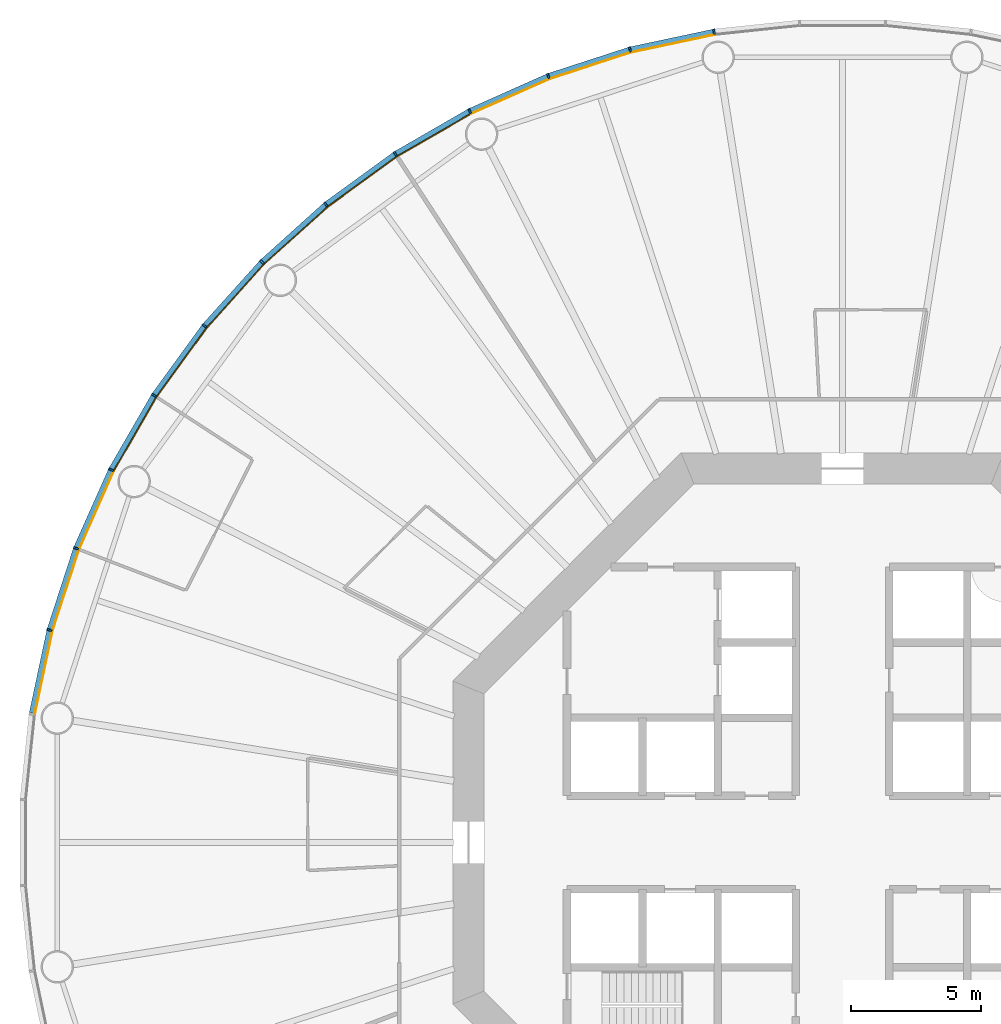
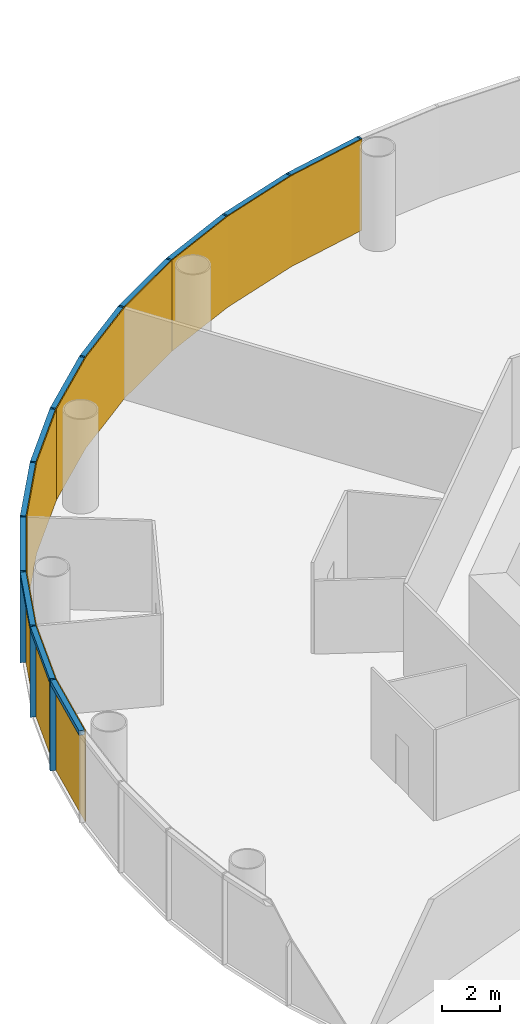
# One storey, part 10 of 13: 24 members, 4 curtain walls.
"""IFC4 building model written with IfcOpenShell, lengths in metres."""

import ifcopenshell
import ifcopenshell.guid

model = None  # the IFC model being written
_history = None  # IfcOwnerHistory: only IFC2X3 demands one
_inside = {}  # id of a spatial element -> (the spatial element, [elements in it])
_under = {}  # id of a project, library or spatial element -> (it, [spatial elements below it])
_declared = {}  # id of a project -> (the project, [libraries it declares])
_typed = {}  # id of a type object -> (the type object, [elements of that type])
_made_of = {}  # id of a material, layer set ... -> (it, [elements and type objects made of it])


def new_model(schema):
    """Start an empty IFC model of exactly this schema.

    Asked for "IFC4X3", IfcOpenShell would pick the latest addendum, in which some entities
    have other attributes; the version numbers below select the first issue.
    IFC2X3 requires an IfcOwnerHistory on every rooted entity: one is made here for all.
    """
    global model, _history
    if schema == "IFC4X3":
        model = ifcopenshell.file(schema_version=(4, 3, 0, 0))
    else:
        model = ifcopenshell.file(schema=schema)
    _inside.clear()
    _under.clear()
    _declared.clear()
    _typed.clear()
    _made_of.clear()
    _history = None
    if model.schema == "IFC2X3":
        org = make("IfcOrganization", Name="unknown")
        user = make(
            "IfcPersonAndOrganization",
            ThePerson=make("IfcPerson", FamilyName="unknown"),
            TheOrganization=org,
        )
        app = make(
            "IfcApplication",
            ApplicationDeveloper=org,
            Version="unknown",
            ApplicationFullName="unknown",
            ApplicationIdentifier="unknown",
        )
        _history = make(
            "IfcOwnerHistory",
            OwningUser=user,
            OwningApplication=app,
            ChangeAction="ADDED",
            CreationDate=0,
        )
    return model


def make(cls, **values):
    """One entity of the class cls with the attributes given. An attribute that is None is left unset."""
    return model.create_entity(
        cls, **{name: value for name, value in values.items() if value is not None}
    )


def rooted(cls, **values):
    """An entity with a GlobalId (a new one), such as an element, a storey or a relation."""
    return make(cls, GlobalId=ifcopenshell.guid.new(), OwnerHistory=_history, **values)


def si_unit(unit_type, name, prefix=None):
    """IfcSIUnit, for example si_unit("LENGTHUNIT", "METRE", prefix="MILLI")."""
    return make("IfcSIUnit", UnitType=unit_type, Prefix=prefix, Name=name)


def assignment(units):
    """IfcUnitAssignment: the units of a project."""
    return None if units is None else make("IfcUnitAssignment", Units=units)


def point(xyz):
    """IfcCartesianPoint."""
    return None if xyz is None else make("IfcCartesianPoint", Coordinates=xyz)


def direction(xyz):
    """IfcDirection."""
    return None if xyz is None else make("IfcDirection", DirectionRatios=xyz)


def frame(location, z_axis=None, x_axis=None):
    """IfcAxis2Placement3D, a coordinate frame: its origin and axes. An axis left out is left unset."""
    return make(
        "IfcAxis2Placement3D",
        Location=point(location),
        Axis=direction(z_axis),
        RefDirection=direction(x_axis),
    )


def frame_2d(location, x_axis=None):
    """IfcAxis2Placement2D, a coordinate frame in the plane: its origin and x axis."""
    return make(
        "IfcAxis2Placement2D", Location=point(location), RefDirection=direction(x_axis)
    )


def origin():
    """The frame at (0, 0, 0) with its axes left unset."""
    return frame((0.0, 0.0, 0.0))


def origin_2d():
    """The frame at (0, 0) in the plane with its x axis left unset."""
    return frame_2d((0.0, 0.0))


def place(relative_to, where):
    """IfcLocalPlacement: puts the frame where relative to a parent placement (None: the world)."""
    return make(
        "IfcLocalPlacement", PlacementRelTo=relative_to, RelativePlacement=where
    )


def context(
    kind, dimensions, precision=None, world=None, true_north=None, identifier=None
):
    """IfcGeometricRepresentationContext, for example the 3D "Model" context."""
    return make(
        "IfcGeometricRepresentationContext",
        ContextIdentifier=identifier,
        ContextType=kind,
        CoordinateSpaceDimension=dimensions,
        Precision=precision,
        WorldCoordinateSystem=world,
        TrueNorth=true_north,
    )


def subcontext(parent, identifier, kind, view, scale=None):
    """IfcGeometricRepresentationSubContext, for example "Body" below "Model"."""
    return make(
        "IfcGeometricRepresentationSubContext",
        ContextIdentifier=identifier,
        ContextType=kind,
        ParentContext=parent,
        TargetScale=scale,
        TargetView=view,
    )


def project(units=None, contexts=None):
    """IfcProject with its units and contexts."""
    return rooted(
        "IfcProject",
        Name="project",
        RepresentationContexts=contexts,
        UnitsInContext=assignment(units),
    )


def spatial(cls, under=None, at=None, **own):
    """A site, building, storey or space (cls), placed at a placement, below another one or the project."""
    s = rooted(cls, ObjectPlacement=at, **own)
    if under is not None:
        _under.setdefault(under.id(), (under, []))[1].append(s)
    return s


def polyline(points):
    """IfcPolyline through the points."""
    return make("IfcPolyline", Points=[point(p) for p in points])


def profile(cls, at=None, kind="AREA", **sizes):
    """A parametric profile (cls). Its sizes go by their IFC names, for example OverallWidth=200.0."""
    return make(cls, ProfileType=kind, Position=at, **sizes)


def rectangle(**sizes):
    """IfcRectangleProfileDef."""
    return profile("IfcRectangleProfileDef", **sizes)


def outline(outer, holes=None, kind="AREA"):
    """IfcArbitraryClosedProfileDef: a profile drawn as a closed curve; with holes, ...WithVoids."""
    if holes is None:
        return make("IfcArbitraryClosedProfileDef", ProfileType=kind, OuterCurve=outer)
    return make(
        "IfcArbitraryProfileDefWithVoids",
        ProfileType=kind,
        OuterCurve=outer,
        InnerCurves=holes,
    )


def extrude(swept, where, along, depth):
    """IfcExtrudedAreaSolid: the profile swept, set in the frame where, extruded along a direction by depth."""
    return make(
        "IfcExtrudedAreaSolid",
        SweptArea=swept,
        Position=where,
        ExtrudedDirection=direction(along),
        Depth=depth,
    )


def shape(context_of_items, identifier, shape_type, items):
    """IfcShapeRepresentation: the items that make up one representation, for example the "Body"."""
    return make(
        "IfcShapeRepresentation",
        ContextOfItems=context_of_items,
        RepresentationIdentifier=identifier,
        RepresentationType=shape_type,
        Items=items,
    )


def material(Name=None, Category=None):
    """IfcMaterial."""
    return make("IfcMaterial", Name=Name, Category=Category)


def layer(
    of_material, thickness, ventilated=None, Name=None, Category=None, Priority=None
):
    """IfcMaterialLayer: one layer of a wall or slab, of a material (None: an air gap)."""
    return make(
        "IfcMaterialLayer",
        Material=of_material,
        LayerThickness=thickness,
        IsVentilated=ventilated,
        Name=Name,
        Category=Category,
        Priority=Priority,
    )


def layer_set(layers, Name=None):
    """IfcMaterialLayerSet."""
    return make("IfcMaterialLayerSet", MaterialLayers=layers, LayerSetName=Name)


def material_profile(
    of_material, cross_section, Name=None, Category=None, Priority=None
):
    """IfcMaterialProfile: a cross section and its material."""
    return make(
        "IfcMaterialProfile",
        Name=Name,
        Material=of_material,
        Profile=cross_section,
        Priority=Priority,
        Category=Category,
    )


def profile_set(profiles, Name=None, composite=None):
    """IfcMaterialProfileSet."""
    return make(
        "IfcMaterialProfileSet",
        Name=Name,
        MaterialProfiles=profiles,
        CompositeProfile=composite,
    )


def made_of(thing, what):
    """Note that an element or type object is made of a material, layer set ...; save() writes the relation."""
    if what is not None:
        _made_of.setdefault(what.id(), (what, []))[1].append(thing)
    return thing


def type_object(cls, material=None, **own):
    """A type object (cls), such as IfcWallType, which elements share."""
    return made_of(rooted(cls, **own), material)


def element(
    cls,
    number,
    at=None,
    inside=None,
    cuts=None,
    type_object=None,
    material=None,
    context=None,
    identifier="Body",
    shape_type=None,
    held_by="IfcProductDefinitionShape",
    body=None,
    shapes=None,
    **own,
):
    """One element of the class cls, such as IfcWall. Its Tag is "e" and its number.

    at: its placement. inside: the storey or other place that contains it. cuts: it is an
    opening in that element (IfcRelVoidsElement). A single representation is given by context,
    identifier, shape_type and body (its items); several are given by shapes. held_by: the class
    of the entity that holds the representations. save() writes the other relations.
    """
    e = rooted(cls, Tag="e%d" % number, ObjectPlacement=at, **own)
    if body is not None:
        shapes = [shape(context, identifier, shape_type, body)]
    if shapes is not None:
        e.Representation = make(held_by, Representations=shapes)
    if inside is not None:
        _inside.setdefault(inside.id(), (inside, []))[1].append(e)
    if cuts is not None:
        rooted(
            "IfcRelVoidsElement", RelatingBuildingElement=cuts, RelatedOpeningElement=e
        )
    if type_object is not None:
        _typed.setdefault(type_object.id(), (type_object, []))[1].append(e)
    return made_of(e, material)


def aggregate(whole, parts):
    """IfcRelAggregates: a whole, such as a stair, and the parts it consists of."""
    return rooted("IfcRelAggregates", RelatingObject=whole, RelatedObjects=parts)


def save(model, path):
    """Write the relations noted so far, then the file.

    IfcRelAggregates (storeys below a building ...), IfcRelContainedInSpatialStructure (elements
    in a storey), IfcRelDefinesByType, IfcRelAssociatesMaterial and IfcRelDeclares: one each for
    every whole, place, type object, material and project.
    """
    for whole, parts in _under.values():
        aggregate(whole, parts)
    for where, things in _inside.values():
        rooted(
            "IfcRelContainedInSpatialStructure",
            RelatedElements=things,
            RelatingStructure=where,
        )
    for kind, things in _typed.values():
        rooted("IfcRelDefinesByType", RelatedObjects=things, RelatingType=kind)
    for what, things in _made_of.values():
        rooted("IfcRelAssociatesMaterial", RelatedObjects=things, RelatingMaterial=what)
    for by, libraries in _declared.values():
        rooted("IfcRelDeclares", RelatingContext=by, RelatedDefinitions=libraries)
    model.write(path)


model = new_model("IFC4")

# Units and contexts
model_context = context("Model", 3, precision=1e-05, world=origin(), true_north=direction((0.0, 1.0)))
body_context = subcontext(model_context, "Body", "Model", "MODEL_VIEW")
ifc_project = project(units=[si_unit("LENGTHUNIT", "METRE"), si_unit("AREAUNIT", "SQUARE_METRE"), si_unit("VOLUMEUNIT", "CUBIC_METRE"), si_unit("PLANEANGLEUNIT", "RADIAN"), si_unit("MASSUNIT", "GRAM", prefix="KILO")], contexts=[model_context])

# Member
ifc_material_1 = material(Name="Anodised aluminium", Category="aluminium")
ifc_material_profile_1 = material_profile(ifc_material_1, rectangle(XDim=0.070068359375, YDim=0.199951171875, at=origin_2d()), Name="Mullion 70 x 200 mm anodised aluminium")
ifc_profile_set_1 = profile_set([ifc_material_profile_1], Name="Anodised aluminium")
member_type_1 = type_object("IfcMemberType", Name="Mullion 70 x 200 mm anodised aluminium", PredefinedType="MULLION", material=ifc_profile_set_1)
site_placement = place(None, origin())
building_placement = place(site_placement, origin())
storey_placement = place(building_placement, frame((0.0, 0.0, 108.0)))
member_1_placement = place(storey_placement, frame((85.056640625, 111.2109375, 0.0), z_axis=(0.0, 0.0, 1.0), x_axis=(-0.987688340595, -0.15643446504, 0.0)))
member_1 = element("IfcMember", 1, at=member_1_placement, type_object=member_type_1, Name="MULLION L24-15", PredefinedType="MULLION", context=body_context, shape_type="SweptSolid", body=[
    extrude(rectangle(XDim=0.070068359375, YDim=0.199951171875, at=origin_2d()), origin(), (0.0, 0.0, 1.0), 3.85009765625),
])

member_2_placement = place(storey_placement, frame((81.8212890625, 110.523193359375, 0.0), z_axis=(0.0, 0.0, 1.0), x_axis=(-0.965925826289, -0.258819045103, 0.0)))
member_2 = element("IfcMember", 2, at=member_2_placement, type_object=member_type_1, Name="MULLION L24-16", PredefinedType="MULLION", context=body_context, shape_type="SweptSolid", body=[
    extrude(rectangle(XDim=0.070068359375, YDim=0.199951171875, at=origin_2d()), origin(), (0.0, 0.0, 1.0), 3.85009765625),
])

member_3_placement = place(storey_placement, frame((78.675537109375, 109.501220703125, 0.0), z_axis=(0.0, 0.0, 1.0), x_axis=(-0.933580426497, -0.358367949545, 0.0)))
member_3 = element("IfcMember", 3, at=member_3_placement, type_object=member_type_1, Name="MULLION L24-17", PredefinedType="MULLION", context=body_context, shape_type="SweptSolid", body=[
    extrude(rectangle(XDim=0.070068359375, YDim=0.199951171875, at=origin_2d()), origin(), (0.0, 0.0, 1.0), 3.85009765625),
])

member_4_placement = place(storey_placement, frame((75.65380859375, 108.15576171875, 0.0), z_axis=(0.0, 0.0, 1.0), x_axis=(-0.891006524188, -0.45399049974, 0.0)))
member_4 = element("IfcMember", 4, at=member_4_placement, type_object=member_type_1, Name="MULLION L24-18", PredefinedType="MULLION", context=body_context, shape_type="SweptSolid", body=[
    extrude(rectangle(XDim=0.070068359375, YDim=0.199951171875, at=origin_2d()), origin(), (0.0, 0.0, 1.0), 3.85009765625),
])

member_5_placement = place(storey_placement, frame((72.789306640625, 106.501953125, 0.0), z_axis=(0.0, 0.0, 1.0), x_axis=(-0.838670567945, -0.544639035015, 0.0)))
member_5 = element("IfcMember", 5, at=member_5_placement, type_object=member_type_1, Name="MULLION L24-19", PredefinedType="MULLION", context=body_context, shape_type="SweptSolid", body=[
    extrude(rectangle(XDim=0.070068359375, YDim=0.199951171875, at=origin_2d()), origin(), (0.0, 0.0, 1.0), 3.85009765625),
])

member_6_placement = place(storey_placement, frame((70.113525390625, 104.557861328125, 0.0), z_axis=(0.0, 0.0, 1.0), x_axis=(-0.777145961457, -0.62932039105, 0.0)))
member_6 = element("IfcMember", 6, at=member_6_placement, type_object=member_type_1, Name="MULLION L24-20", PredefinedType="MULLION", context=body_context, shape_type="SweptSolid", body=[
    extrude(rectangle(XDim=0.070068359375, YDim=0.199951171875, at=origin_2d()), origin(), (0.0, 0.0, 1.0), 3.85009765625),
])

member_7_placement = place(storey_placement, frame((67.655517578125, 102.344482421875, 0.0), z_axis=(0.0, 0.0, 1.0), x_axis=(-0.707106781187, -0.707106781187, 0.0)))
member_7 = element("IfcMember", 7, at=member_7_placement, type_object=member_type_1, Name="MULLION L24-21", PredefinedType="MULLION", context=body_context, shape_type="SweptSolid", body=[
    extrude(rectangle(XDim=0.070068359375, YDim=0.199951171875, at=origin_2d()), origin(), (0.0, 0.0, 1.0), 3.85009765625),
])

member_8_placement = place(storey_placement, frame((65.442138671875, 99.886474609375, 0.0), z_axis=(0.0, 0.0, 1.0), x_axis=(-0.62932039105, -0.777145961457, 0.0)))
member_8 = element("IfcMember", 8, at=member_8_placement, type_object=member_type_1, Name="MULLION L24-22", PredefinedType="MULLION", context=body_context, shape_type="SweptSolid", body=[
    extrude(rectangle(XDim=0.070068359375, YDim=0.199951171875, at=origin_2d()), origin(), (0.0, 0.0, 1.0), 3.85009765625),
])

member_9_placement = place(storey_placement, frame((63.498046875, 97.210693359375, 0.0), z_axis=(0.0, 0.0, 1.0), x_axis=(-0.544639035015, -0.838670567945, 0.0)))
member_9 = element("IfcMember", 9, at=member_9_placement, type_object=member_type_1, Name="MULLION L24-23", PredefinedType="MULLION", context=body_context, shape_type="SweptSolid", body=[
    extrude(rectangle(XDim=0.070068359375, YDim=0.199951171875, at=origin_2d()), origin(), (0.0, 0.0, 1.0), 3.85009765625),
])

member_10_placement = place(storey_placement, frame((61.84423828125, 94.34619140625, 0.0), z_axis=(0.0, 0.0, 1.0), x_axis=(-0.45399049974, -0.891006524188, 0.0)))
member_10 = element("IfcMember", 10, at=member_10_placement, type_object=member_type_1, Name="MULLION L24-24", PredefinedType="MULLION", context=body_context, shape_type="SweptSolid", body=[
    extrude(rectangle(XDim=0.070068359375, YDim=0.199951171875, at=origin_2d()), origin(), (0.0, 0.0, 1.0), 3.85009765625),
])

member_11_placement = place(storey_placement, frame((60.498779296875, 91.324462890625, 0.0), z_axis=(0.0, 0.0, 1.0), x_axis=(-0.358367949545, -0.933580426497, 0.0)))
member_11 = element("IfcMember", 11, at=member_11_placement, type_object=member_type_1, Name="MULLION L24-25", PredefinedType="MULLION", context=body_context, shape_type="SweptSolid", body=[
    extrude(rectangle(XDim=0.070068359375, YDim=0.199951171875, at=origin_2d()), origin(), (0.0, 0.0, 1.0), 3.85009765625),
])

member_12_placement = place(storey_placement, frame((59.476806640625, 88.1787109375, 0.0), z_axis=(0.0, 0.0, 1.0), x_axis=(-0.258819045103, -0.965925826289, 0.0)))
member_12 = element("IfcMember", 12, at=member_12_placement, type_object=member_type_1, Name="MULLION L24-26", PredefinedType="MULLION", context=body_context, shape_type="SweptSolid", body=[
    extrude(rectangle(XDim=0.070068359375, YDim=0.199951171875, at=origin_2d()), origin(), (0.0, 0.0, 1.0), 3.85009765625),
])

ifc_material_2 = material(Name="Anodised aluminium", Category="aluminium")
ifc_material_profile_2 = material_profile(ifc_material_2, rectangle(XDim=0.199951171875, YDim=0.18994140625, at=origin_2d()), Name="Transom 190 x 200 mm anodised aluminium")
ifc_profile_set_2 = profile_set([ifc_material_profile_2], Name="Anodised aluminium")
member_type_2 = type_object("IfcMemberType", Name="Transom 190 x 200 mm anodised aluminium", PredefinedType="USERDEFINED", material=ifc_profile_set_2)
member_13_placement = place(storey_placement, frame((85.017333984375, 111.20263671875, 3.7548828125), z_axis=(-0.978153082647, -0.207885898771, 0.0), x_axis=(0.207885898771, -0.978153082647, 0.0)))
member_13 = element("IfcMember", 13, at=member_13_placement, type_object=member_type_2, Name="TRANSOM L24-15", ObjectType="TRANSOM", PredefinedType="USERDEFINED", context=body_context, shape_type="SweptSolid", body=[
    extrude(rectangle(XDim=0.199951171875, YDim=0.18994140625, at=origin_2d()), origin(), (0.0, 0.0, 1.0), 3.227294921875),
])

member_14_placement = place(storey_placement, frame((81.782958984375, 110.510986328125, 3.7548828125), z_axis=(-0.951046855117, -0.309046726844, 0.0), x_axis=(0.309046726844, -0.951046855117, 0.0)))
member_14 = element("IfcMember", 14, at=member_14_placement, type_object=member_type_2, Name="TRANSOM L24-16", ObjectType="TRANSOM", PredefinedType="USERDEFINED", context=body_context, shape_type="SweptSolid", body=[
    extrude(rectangle(XDim=0.199951171875, YDim=0.18994140625, at=origin_2d()), origin(), (0.0, 0.0, 1.0), 3.22705078125),
])

member_15_placement = place(storey_placement, frame((78.638671875, 109.48486328125, 3.7548828125), z_axis=(-0.913549291349, -0.406728032322, 0.0), x_axis=(0.406728032322, -0.913549291349, 0.0)))
member_15 = element("IfcMember", 15, at=member_15_placement, type_object=member_type_2, Name="TRANSOM L24-17", ObjectType="TRANSOM", PredefinedType="USERDEFINED", context=body_context, shape_type="SweptSolid", body=[
    extrude(rectangle(XDim=0.199951171875, YDim=0.18994140625, at=origin_2d()), origin(), (0.0, 0.0, 1.0), 3.22705078125),
])

member_16_placement = place(storey_placement, frame((75.618896484375, 108.1357421875, 3.7548828125), z_axis=(-0.866023062494, -0.500004055213, 0.0), x_axis=(0.500004055213, -0.866023062494, 0.0)))
member_16 = element("IfcMember", 16, at=member_16_placement, type_object=member_type_2, Name="TRANSOM L24-18", ObjectType="TRANSOM", PredefinedType="USERDEFINED", context=body_context, shape_type="SweptSolid", body=[
    extrude(rectangle(XDim=0.199951171875, YDim=0.18994140625, at=origin_2d()), origin(), (0.0, 0.0, 1.0), 3.22705078125),
])

member_17_placement = place(storey_placement, frame((72.7568359375, 106.478515625, 3.7548828125), z_axis=(-0.809004252048, -0.587802790201, 0.0), x_axis=(0.587802790201, -0.809004252048, 0.0)))
member_17 = element("IfcMember", 17, at=member_17_placement, type_object=member_type_2, Name="TRANSOM L24-19", ObjectType="TRANSOM", PredefinedType="USERDEFINED", context=body_context, shape_type="SweptSolid", body=[
    extrude(rectangle(XDim=0.199951171875, YDim=0.18994140625, at=origin_2d()), origin(), (0.0, 0.0, 1.0), 3.227294921875),
])

member_18_placement = place(storey_placement, frame((70.08349609375, 104.531005859375, 3.7548828125), z_axis=(-0.743132370743, -0.669144438484, 0.0), x_axis=(0.669144438484, -0.743132370743, 0.0)))
member_18 = element("IfcMember", 18, at=member_18_placement, type_object=member_type_2, Name="TRANSOM L24-20", ObjectType="TRANSOM", PredefinedType="USERDEFINED", context=body_context, shape_type="SweptSolid", body=[
    extrude(rectangle(XDim=0.199951171875, YDim=0.18994140625, at=origin_2d()), origin(), (0.0, 0.0, 1.0), 3.22705078125),
])

member_19_placement = place(storey_placement, frame((67.62841796875, 102.314697265625, 3.7548828125), z_axis=(-0.669144438484, -0.743132370743, 0.0), x_axis=(0.743132370743, -0.669144438484, 0.0)))
member_19 = element("IfcMember", 19, at=member_19_placement, type_object=member_type_2, Name="TRANSOM L24-21", ObjectType="TRANSOM", PredefinedType="USERDEFINED", context=body_context, shape_type="SweptSolid", body=[
    extrude(rectangle(XDim=0.199951171875, YDim=0.18994140625, at=origin_2d()), origin(), (0.0, 0.0, 1.0), 3.22705078125),
])

member_20_placement = place(storey_placement, frame((65.41845703125, 99.85400390625, 3.7548828125), z_axis=(-0.587802790201, -0.809004252048, 0.0), x_axis=(0.809004252048, -0.587802790201, 0.0)))
member_20 = element("IfcMember", 20, at=member_20_placement, type_object=member_type_2, Name="TRANSOM L24-22", ObjectType="TRANSOM", PredefinedType="USERDEFINED", context=body_context, shape_type="SweptSolid", body=[
    extrude(rectangle(XDim=0.199951171875, YDim=0.18994140625, at=origin_2d()), origin(), (0.0, 0.0, 1.0), 3.227294921875),
])

member_21_placement = place(storey_placement, frame((63.477783203125, 97.17578125, 3.7548828125), z_axis=(-0.500004055213, -0.866023062494, 0.0), x_axis=(0.866023062494, -0.500004055213, 0.0)))
member_21 = element("IfcMember", 21, at=member_21_placement, type_object=member_type_2, Name="TRANSOM L24-23", ObjectType="TRANSOM", PredefinedType="USERDEFINED", context=body_context, shape_type="SweptSolid", body=[
    extrude(rectangle(XDim=0.199951171875, YDim=0.18994140625, at=origin_2d()), origin(), (0.0, 0.0, 1.0), 3.22705078125),
])

member_22_placement = place(storey_placement, frame((61.82763671875, 94.309326171875, 3.7548828125), z_axis=(-0.406728032322, -0.913549291349, 0.0), x_axis=(0.913549291349, -0.406728032322, 0.0)))
member_22 = element("IfcMember", 22, at=member_22_placement, type_object=member_type_2, Name="TRANSOM L24-24", ObjectType="TRANSOM", PredefinedType="USERDEFINED", context=body_context, shape_type="SweptSolid", body=[
    extrude(rectangle(XDim=0.199951171875, YDim=0.18994140625, at=origin_2d()), origin(), (0.0, 0.0, 1.0), 3.22705078125),
])

member_23_placement = place(storey_placement, frame((60.486328125, 91.2861328125, 3.7548828125), z_axis=(-0.309046726844, -0.951046855117, 0.0), x_axis=(0.951046855117, -0.309046726844, 0.0)))
member_23 = element("IfcMember", 23, at=member_23_placement, type_object=member_type_2, Name="TRANSOM L24-25", ObjectType="TRANSOM", PredefinedType="USERDEFINED", context=body_context, shape_type="SweptSolid", body=[
    extrude(rectangle(XDim=0.199951171875, YDim=0.18994140625, at=origin_2d()), origin(), (0.0, 0.0, 1.0), 3.22705078125),
])

member_24_placement = place(storey_placement, frame((59.46826171875, 88.139404296875, 3.7548828125), z_axis=(-0.207885898771, -0.978153082647, 0.0), x_axis=(0.978153082647, -0.207885898771, 0.0)))
member_24 = element("IfcMember", 24, at=member_24_placement, type_object=member_type_2, Name="TRANSOM L24-26", ObjectType="TRANSOM", PredefinedType="USERDEFINED", context=body_context, shape_type="SweptSolid", body=[
    extrude(rectangle(XDim=0.199951171875, YDim=0.18994140625, at=origin_2d()), origin(), (0.0, 0.0, 1.0), 3.227294921875),
])

# Site, building, storey
site = spatial("IfcSite", under=ifc_project, at=site_placement, CompositionType="ELEMENT")
building = spatial("IfcBuilding", under=site, at=building_placement, Name="Entoto Ring Tower", CompositionType="ELEMENT")
storey = spatial("IfcBuildingStorey", under=building, at=storey_placement, Name="L24", CompositionType="ELEMENT", Elevation=108.0)

# Curtain wall
ifc_material_3 = material(Name="Clear low-iron glass", Category="glass")
ifc_layer = layer(ifc_material_3, 0.035888671875)
ifc_layer_set = layer_set([ifc_layer], Name="Clear low-iron glass")
curtain_wall_type = type_object("IfcCurtainWallType", Name="Curtain wall system CW2 glazing 36 mm", PredefinedType="NOTDEFINED", material=ifc_layer_set)
curtain_wall_1_placement = place(storey_placement, origin())
curtain_wall_1 = element("IfcCurtainWall", 25, at=curtain_wall_1_placement, inside=storey, type_object=curtain_wall_type, Name="CW2 L24-06", PredefinedType="NOTDEFINED", context=body_context, shape_type="SweptSolid", body=[
    extrude(outline(polyline([(85.072265625, 111.1123046875), (81.84716796875, 110.4267578125), (78.71142578125, 109.40771484375), (75.69921875, 108.066650390625), (75.715576171875, 108.03466796875), (78.724365234375, 109.3740234375), (81.8564453125, 110.391845703125), (85.077880859375, 111.07666015625), (85.072265625, 111.1123046875)])), origin(), (0.0, 0.0, 1.0), 3.85009765625),
])

aggregate(curtain_wall_1, [member_1, member_2, member_3, member_13, member_14, member_15])

curtain_wall_2_placement = place(storey_placement, origin())
curtain_wall_2 = element("IfcCurtainWall", 26, at=curtain_wall_2_placement, inside=storey, type_object=curtain_wall_type, Name="CW2 L24-07", PredefinedType="NOTDEFINED", context=body_context, shape_type="SweptSolid", body=[
    extrude(outline(polyline([(75.69921875, 108.066650390625), (72.84375, 106.418212890625), (70.176513671875, 104.47998046875), (67.72607421875, 102.27392578125), (67.751708984375, 102.248291015625), (70.198974609375, 104.4521484375), (72.863525390625, 106.387939453125), (75.715576171875, 108.03466796875), (75.69921875, 108.066650390625)])), origin(), (0.0, 0.0, 1.0), 3.85009765625),
])

aggregate(curtain_wall_2, [member_4, member_5, member_6, member_16, member_17, member_18])

curtain_wall_3_placement = place(storey_placement, origin())
curtain_wall_3 = element("IfcCurtainWall", 27, at=curtain_wall_3_placement, inside=storey, type_object=curtain_wall_type, Name="CW2 L24-08", PredefinedType="NOTDEFINED", context=body_context, shape_type="SweptSolid", body=[
    extrude(outline(polyline([(67.72607421875, 102.27392578125), (65.52001953125, 99.823486328125), (63.581787109375, 97.15625), (61.933349609375, 94.30078125), (61.96533203125, 94.284423828125), (63.612060546875, 97.136474609375), (65.5478515625, 99.801025390625), (67.751708984375, 102.248291015625), (67.72607421875, 102.27392578125)])), origin(), (0.0, 0.0, 1.0), 3.85009765625),
])

aggregate(curtain_wall_3, [member_7, member_8, member_9, member_19, member_20, member_21])

curtain_wall_4_placement = place(storey_placement, origin())
curtain_wall_4 = element("IfcCurtainWall", 28, at=curtain_wall_4_placement, inside=storey, type_object=curtain_wall_type, Name="CW2 L24-09", PredefinedType="NOTDEFINED", context=body_context, shape_type="SweptSolid", body=[
    extrude(outline(polyline([(61.933349609375, 94.30078125), (60.59228515625, 91.28857421875), (59.5732421875, 88.15283203125), (58.8876953125, 84.927734375), (58.92333984375, 84.922119140625), (59.608154296875, 88.1435546875), (60.6259765625, 91.275634765625), (61.96533203125, 94.284423828125), (61.933349609375, 94.30078125)])), origin(), (0.0, 0.0, 1.0), 3.85009765625),
])

aggregate(curtain_wall_4, [member_10, member_11, member_12, member_22, member_23, member_24])

save(model, "model.ifc")
